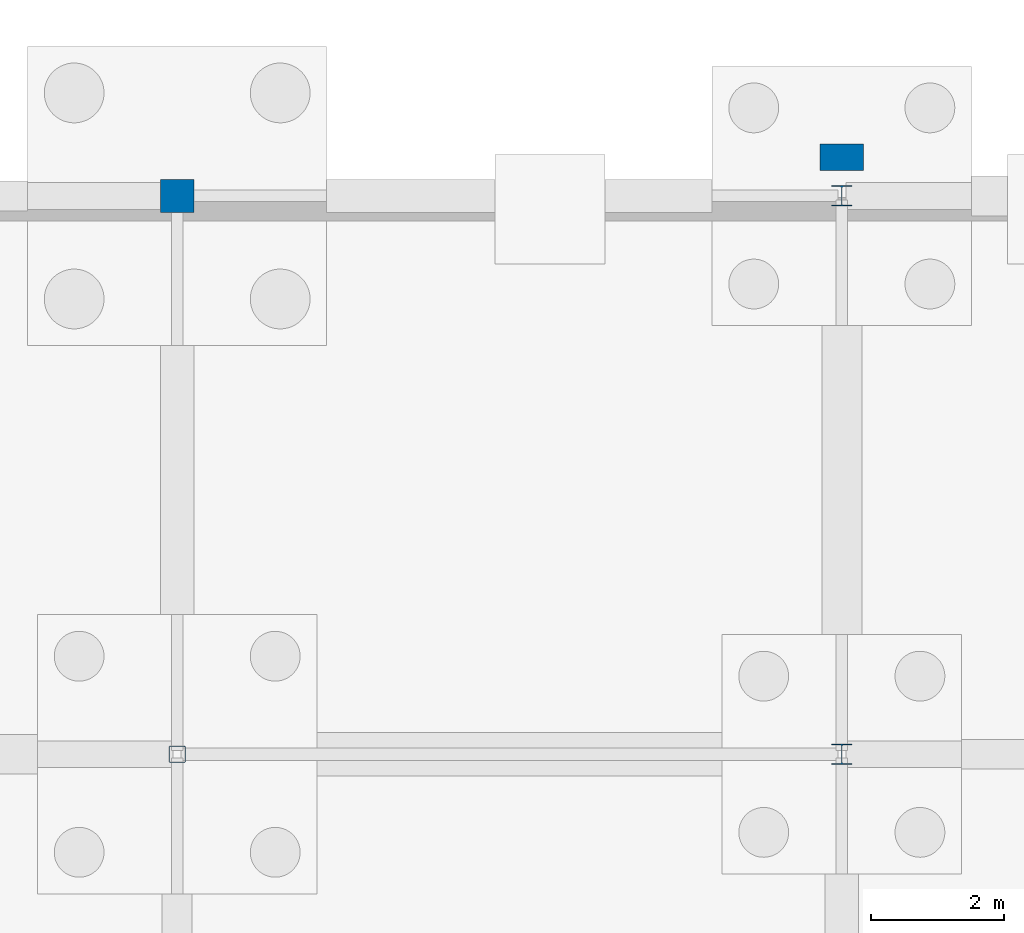
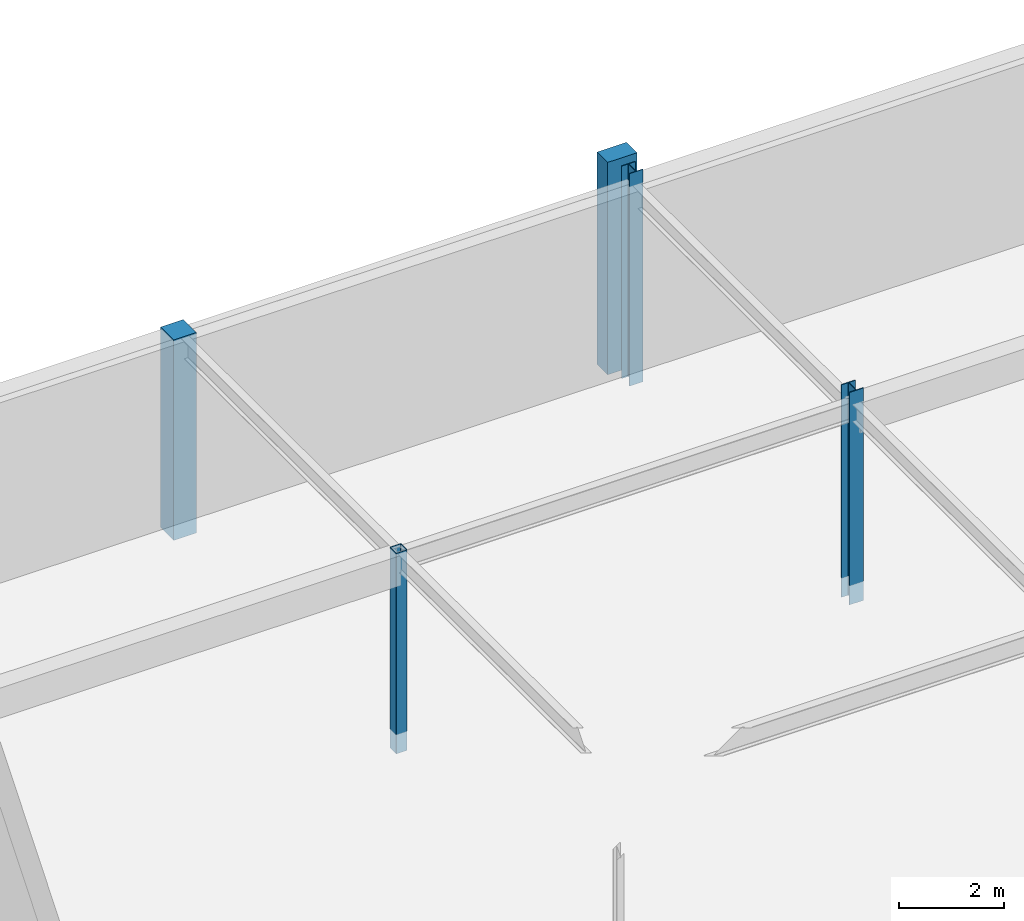
# One storey, part 34 of 75: 5 columns.
"""IFC4 building model written with IfcOpenShell, lengths in metres."""

from ifc_helpers import new_model, si_unit, derived_unit, direction, frame, origin, origin_2d_with_axis, place, context, subcontext, project, spatial, rectangle, hollow_rectangle, i_section, extrude, material, material_profile, profile_set, type_object, element, save


model = new_model("IFC4")

# Units and contexts
model_context = context("Model", 3, precision=1e-05, world=origin(), true_north=direction((0.0, 1.0)))
body_context = subcontext(model_context, "Body", "Model", "MODEL_VIEW")
ifc_project = project(units=[si_unit("LENGTHUNIT", "METRE"), si_unit("AREAUNIT", "SQUARE_METRE"), si_unit("VOLUMEUNIT", "CUBIC_METRE"), si_unit("PLANEANGLEUNIT", "RADIAN"), si_unit("MASSUNIT", "GRAM", prefix="KILO"), derived_unit("THERMALTRANSMITTANCEUNIT", [(si_unit("POWERUNIT", "WATT"), 1), (si_unit("LENGTHUNIT", "METRE"), -2), (si_unit("THERMODYNAMICTEMPERATUREUNIT", "KELVIN"), -1)])], contexts=[model_context])

# Site, building, storey
site_placement = place(None, origin())
site = spatial("IfcSite", under=ifc_project, at=site_placement, CompositionType="ELEMENT")
building_placement = place(site_placement, origin())
building = spatial("IfcBuilding", under=site, at=building_placement, Name="Cinnabar Yard Market Hall", CompositionType="ELEMENT")
storey_placement = place(building_placement, frame((0.0, 0.0, -4.5)))
storey = spatial("IfcBuildingStorey", under=building, at=storey_placement, Name="B1", CompositionType="ELEMENT", Elevation=-4.5)

# Columns
ifc_material_1 = material(Name="Steel Grade 300 (300 MPa)", Category="steel")
ifc_material_profile_1 = material_profile(ifc_material_1, i_section(OverallWidth=0.307373046875, OverallDepth=0.314697265625, WebThickness=0.011962890625, FlangeThickness=0.018798828125, FilletRadius=0.0166015625, at=origin_2d_with_axis()), Name="310UC118")
ifc_profile_set_1 = profile_set([ifc_material_profile_1], Name="Steel Grade 300 (300 MPa)")
column_type_1 = type_object("IfcColumnType", Name="COL-C08", PredefinedType="COLUMN", material=ifc_profile_set_1)
column_1_placement = place(storey_placement, frame((86.0, 129.60009765625, -0.449951171875), z_axis=(0.0, 0.0, 1.0), x_axis=(1.0, 0.0, 0.0)))
element("IfcColumn", 1, at=column_1_placement, inside=storey, type_object=column_type_1, Name="Wing Column V3-03-04 B1", PredefinedType="COLUMN", context=body_context, shape_type="SweptSolid", body=[
    extrude(i_section(OverallWidth=0.307373046875, OverallDepth=0.314697265625, WebThickness=0.011962890625, FlangeThickness=0.018798828125, FilletRadius=0.0166015625, at=origin_2d_with_axis()), origin(), (0.0, 0.0, 1.0), 4.949951171875),
])
ifc_material_profile_2 = material_profile(ifc_material_1, i_section(OverallWidth=0.304931640625, OverallDepth=0.30810546875, WebThickness=0.010009765625, FlangeThickness=0.015380859375, FilletRadius=0.0166015625, at=origin_2d_with_axis()), Name="310UC96.8")
ifc_profile_set_2 = profile_set([ifc_material_profile_2], Name="Steel Grade 300 (300 MPa)")
column_type_2 = type_object("IfcColumnType", Name="COL-C09", PredefinedType="COLUMN", material=ifc_profile_set_2)
column_2_placement = place(storey_placement, frame((86.0, 138.0, -0.449951171875), z_axis=(0.0, 0.0, 1.0), x_axis=(1.0, 0.0, 0.0)))
element("IfcColumn", 2, at=column_2_placement, inside=storey, type_object=column_type_2, Name="Wing Column V3-03-05 B1", PredefinedType="COLUMN", context=body_context, shape_type="SweptSolid", body=[
    extrude(i_section(OverallWidth=0.304931640625, OverallDepth=0.30810546875, WebThickness=0.010009765625, FlangeThickness=0.015380859375, FilletRadius=0.0166015625, at=origin_2d_with_axis()), origin(), (0.0, 0.0, 1.0), 4.949951171875),
])
ifc_material_2 = material(Name="Cold-formed steel C350L0", Category="steel")
ifc_material_profile_3 = material_profile(ifc_material_2, hollow_rectangle(XDim=0.25, YDim=0.25, WallThickness=0.009033203125, InnerFilletRadius=0.009033203125, OuterFilletRadius=0.01806640625, at=origin_2d_with_axis()), Name="250x250x9.0SHS")
ifc_profile_set_3 = profile_set([ifc_material_profile_3], Name="Cold-formed steel C350L0")
column_type_3 = type_object("IfcColumnType", Name="COL-C20", PredefinedType="COLUMN", material=ifc_profile_set_3)
column_3_placement = place(storey_placement, frame((76.0, 129.60009765625, -0.449951171875), z_axis=(0.0, 0.0, 1.0), x_axis=(1.0, 0.0, 0.0)))
element("IfcColumn", 3, at=column_3_placement, inside=storey, type_object=column_type_3, Name="Wing Column V3-02-04 B1", PredefinedType="COLUMN", context=body_context, shape_type="SweptSolid", body=[
    extrude(hollow_rectangle(XDim=0.25, YDim=0.25, WallThickness=0.009033203125, InnerFilletRadius=0.009033203125, OuterFilletRadius=0.01806640625, at=origin_2d_with_axis()), origin(), (0.0, 0.0, 1.0), 4.669921875),
])
ifc_material_3 = material(Name="Concrete 40 MPa", Category="concrete")
ifc_material_profile_4 = material_profile(ifc_material_3, rectangle(XDim=0.64990234375, YDim=0.39990234375, at=origin_2d_with_axis()), Name="RC-650x400")
ifc_profile_set_4 = profile_set([ifc_material_profile_4], Name="Concrete 40 MPa")
column_type_4 = type_object("IfcColumnType", Name="COL-PIL2", PredefinedType="PILASTER", material=ifc_profile_set_4)
column_4_placement = place(storey_placement, frame((86.0, 138.580078125, -0.449951171875), z_axis=(0.0, 0.0, 1.0), x_axis=(1.0, 0.0, 0.0)))
element("IfcColumn", 4, at=column_4_placement, inside=storey, type_object=column_type_4, Name="Pilaster Pier 08", PredefinedType="PILASTER", context=body_context, shape_type="SweptSolid", body=[
    extrude(rectangle(XDim=0.64990234375, YDim=0.39990234375, at=origin_2d_with_axis()), origin(), (0.0, 0.0, 1.0), 4.949951171875),
])
ifc_material_profile_5 = material_profile(ifc_material_3, rectangle(XDim=0.5, YDim=0.5, at=origin_2d_with_axis()), Name="RC-500x500")
ifc_profile_set_5 = profile_set([ifc_material_profile_5], Name="Concrete 40 MPa")
column_type_5 = type_object("IfcColumnType", Name="COL-RC1", PredefinedType="COLUMN", material=ifc_profile_set_5)
column_5_placement = place(storey_placement, frame((76.0, 138.0, -0.449951171875), z_axis=(0.0, 0.0, 1.0), x_axis=(1.0, 0.0, 0.0)))
element("IfcColumn", 5, at=column_5_placement, inside=storey, type_object=column_type_5, Name="Wing Column V3-02-05 B1", PredefinedType="COLUMN", context=body_context, shape_type="SweptSolid", body=[
    extrude(rectangle(XDim=0.5, YDim=0.5, at=origin_2d_with_axis()), origin(), (0.0, 0.0, 1.0), 4.669921875),
])

save(model, "model.ifc")
